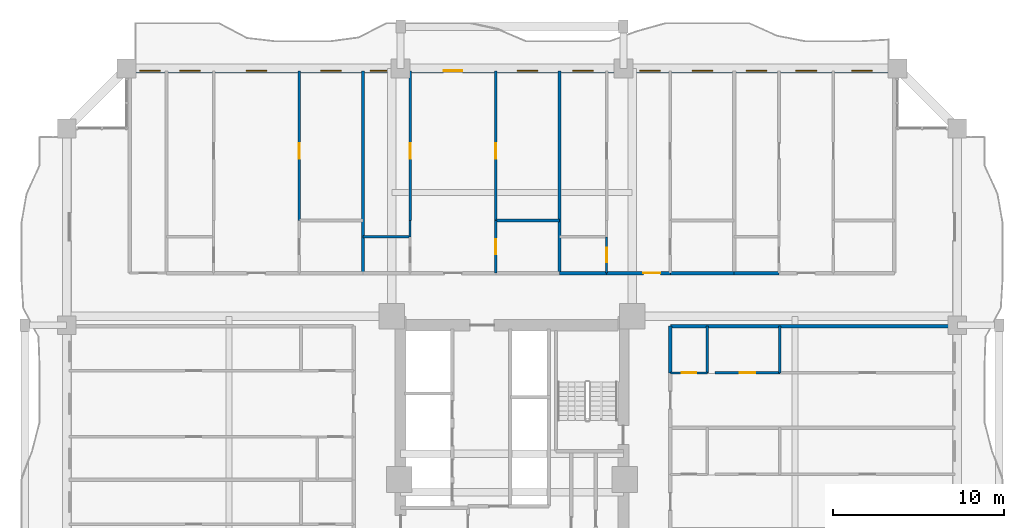
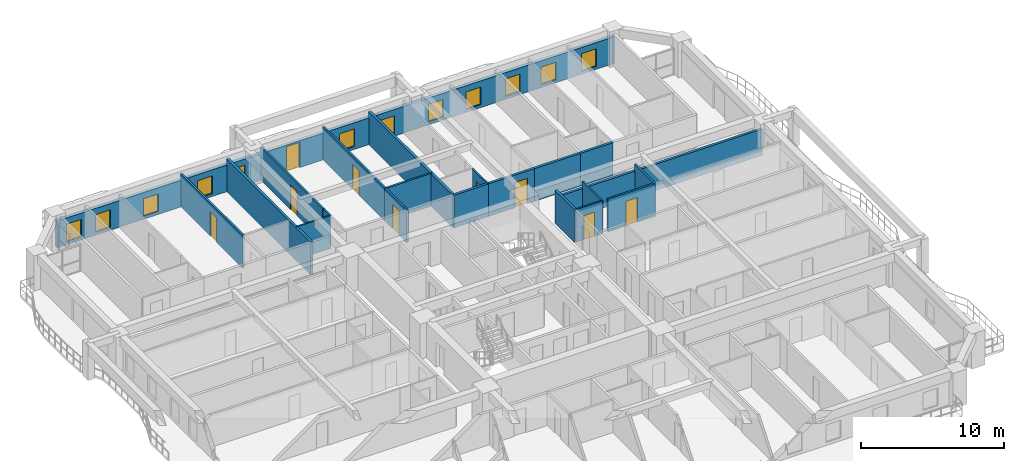
# One storey, part 19 of 27: 21 walls, 12 windows, 9 doors, 21 openings.
"""IFC4 building model written with IfcOpenShell, lengths in metres."""

from ifc_helpers import new_model, si_unit, direction, frame, frame_2d, origin, place, context, subcontext, project, spatial, rectangle, extrude, source, transform, mapped, material, layer, layer_set, type_object, element, fill, save


model = new_model("IFC4")

# Units and contexts
model_context = context("Model", 3, precision=1e-05, world=origin(), true_north=direction((0.0, 1.0)))
body_context = subcontext(model_context, "Body", "Model", "MODEL_VIEW")
ifc_project = project(units=[si_unit("LENGTHUNIT", "METRE"), si_unit("AREAUNIT", "SQUARE_METRE"), si_unit("VOLUMEUNIT", "CUBIC_METRE"), si_unit("PLANEANGLEUNIT", "RADIAN"), si_unit("MASSUNIT", "GRAM", prefix="KILO")], contexts=[model_context])

# Site, building, storey
site_placement = place(None, origin())
site = spatial("IfcSite", under=ifc_project, at=site_placement, CompositionType="ELEMENT")
building_placement = place(site_placement, origin())
building = spatial("IfcBuilding", under=site, at=building_placement, Name="Saelheon Loggia Tower", CompositionType="ELEMENT")
storey_placement = place(building_placement, frame((0.0, 0.0, 43.39990234375)))
storey = spatial("IfcBuildingStorey", under=building, at=storey_placement, Name="L13", CompositionType="ELEMENT", Elevation=43.39990234375)

# Wall, openings, windows, door
ifc_material_1 = material(Name="Architectural Precast Concrete C40/50", Category="concrete")
ifc_layer_1 = layer(ifc_material_1, 0.280029296875)
ifc_layer_set_1 = layer_set([ifc_layer_1], Name="Architectural Precast Concrete C40/50")
wall_type_1 = type_object("IfcWallType", Name="Wall_Ext_Loggia_280", PredefinedType="SOLIDWALL", material=ifc_layer_set_1)
wall_1_placement = place(storey_placement, frame((15.5, 50.860107421875, 0.0), z_axis=(0.0, 0.0, 1.0), x_axis=(1.0, 0.0, 0.0)))
wall_1 = element("IfcWall", 1, at=wall_1_placement, inside=storey, type_object=wall_type_1, Name="L13 North Loggia Inner Wall", PredefinedType="SOLIDWALL", context=body_context, shape_type="SweptSolid", body=[
    extrude(rectangle(XDim=45.0, YDim=0.280029296875, at=frame_2d((22.5, 0.0))), origin(), (0.0, 0.0, 1.0), 2.280029296875),
])
opening_1_placement = place(wall_1_placement, frame((0.760009765625, 0.0, 0.25)))
opening_1 = element("IfcOpeningElement", 2, at=opening_1_placement, cuts=wall_1, Name="Opening WN-03", PredefinedType="OPENING", context=body_context, shape_type="SweptSolid", body=[
    extrude(rectangle(XDim=1.199951171875, YDim=1.5, at=frame_2d((0.60009765625, 0.75))), frame((0.0, 0.152099609375, 0.0), z_axis=(0.0, -1.0, 0.0), x_axis=(1.0, 0.0, 0.0)), (0.0, 0.0, 1.0), 0.303955078125),
])
opening_2_placement = place(wall_1_placement, frame((3.10498046875, 0.0, 0.25)))
opening_2 = element("IfcOpeningElement", 3, at=opening_2_placement, cuts=wall_1, Name="Opening WN-03", PredefinedType="OPENING", context=body_context, shape_type="SweptSolid", body=[
    extrude(rectangle(XDim=1.199951171875, YDim=1.5, at=frame_2d((0.60009765625, 0.75))), frame((0.0, 0.152099609375, 0.0), z_axis=(0.0, -1.0, 0.0), x_axis=(1.0, 0.0, 0.0)), (0.0, 0.0, 1.0), 0.303955078125),
])
opening_3_placement = place(wall_1_placement, frame((6.979736328125, 0.0, 0.25)))
opening_3 = element("IfcOpeningElement", 4, at=opening_3_placement, cuts=wall_1, Name="Opening WN-03", PredefinedType="OPENING", context=body_context, shape_type="SweptSolid", body=[
    extrude(rectangle(XDim=1.199951171875, YDim=1.5, at=frame_2d((0.60009765625, 0.75))), frame((0.0, 0.152099609375, 0.0), z_axis=(0.0, -1.0, 0.0), x_axis=(1.0, 0.0, 0.0)), (0.0, 0.0, 1.0), 0.303955078125),
])
opening_4_placement = place(wall_1_placement, frame((11.3408203125, 0.0, 0.25)))
opening_4 = element("IfcOpeningElement", 5, at=opening_4_placement, cuts=wall_1, Name="Opening WN-03", PredefinedType="OPENING", context=body_context, shape_type="SweptSolid", body=[
    extrude(rectangle(XDim=1.199951171875, YDim=1.5, at=frame_2d((0.60009765625, 0.75))), frame((0.0, 0.152099609375, 0.0), z_axis=(0.0, -1.0, 0.0), x_axis=(1.0, 0.0, 0.0)), (0.0, 0.0, 1.0), 0.303955078125),
])
opening_5_placement = place(wall_1_placement, frame((14.231201171875, 0.0, 0.25)))
opening_5 = element("IfcOpeningElement", 6, at=opening_5_placement, cuts=wall_1, Name="Opening WN-04", PredefinedType="OPENING", context=body_context, shape_type="SweptSolid", body=[
    extrude(rectangle(XDim=0.949951171875, YDim=1.5, at=frame_2d((0.47509765625, 0.75))), frame((0.0, 0.152099609375, 0.0), z_axis=(0.0, -1.0, 0.0), x_axis=(1.0, 0.0, 0.0)), (0.0, 0.0, 1.0), 0.303955078125),
])
opening_6_placement = place(wall_1_placement, frame((18.502197265625, 0.0, 0.0)))
opening_6 = element("IfcOpeningElement", 7, at=opening_6_placement, cuts=wall_1, Name="Opening TD1", PredefinedType="OPENING", context=body_context, shape_type="SweptSolid", body=[
    extrude(rectangle(XDim=1.10009765625, YDim=2.14990234375, at=frame_2d((0.550048828125, 1.074951171875))), frame((0.0, 0.152099609375, 0.0), z_axis=(0.0, -1.0, 0.0), x_axis=(1.0, 0.0, 0.0)), (0.0, 0.0, 1.0), 0.303955078125),
])
opening_7_placement = place(wall_1_placement, frame((22.813232421875, 0.0, 0.25)))
opening_7 = element("IfcOpeningElement", 8, at=opening_7_placement, cuts=wall_1, Name="Opening WN-03", PredefinedType="OPENING", context=body_context, shape_type="SweptSolid", body=[
    extrude(rectangle(XDim=1.199951171875, YDim=1.5, at=frame_2d((0.60009765625, 0.75))), frame((0.0, 0.152099609375, 0.0), z_axis=(0.0, -1.0, 0.0), x_axis=(1.0, 0.0, 0.0)), (0.0, 0.0, 1.0), 0.303955078125),
])
opening_8_placement = place(wall_1_placement, frame((26.049560546875, 0.0, 0.25)))
opening_8 = element("IfcOpeningElement", 9, at=opening_8_placement, cuts=wall_1, Name="Opening WN-03", PredefinedType="OPENING", context=body_context, shape_type="SweptSolid", body=[
    extrude(rectangle(XDim=1.199951171875, YDim=1.5, at=frame_2d((0.60009765625, 0.75))), frame((0.0, 0.152099609375, 0.0), z_axis=(0.0, -1.0, 0.0), x_axis=(1.0, 0.0, 0.0)), (0.0, 0.0, 1.0), 0.303955078125),
])
opening_9_placement = place(wall_1_placement, frame((29.9697265625, 0.0, 0.25)))
opening_9 = element("IfcOpeningElement", 10, at=opening_9_placement, cuts=wall_1, Name="Opening WN-03", PredefinedType="OPENING", context=body_context, shape_type="SweptSolid", body=[
    extrude(rectangle(XDim=1.199951171875, YDim=1.5, at=frame_2d((0.60009765625, 0.75))), frame((0.0, 0.152099609375, 0.0), z_axis=(0.0, -1.0, 0.0), x_axis=(1.0, 0.0, 0.0)), (0.0, 0.0, 1.0), 0.303955078125),
])
opening_10_placement = place(wall_1_placement, frame((33.0107421875, 0.0, 0.25)))
opening_10 = element("IfcOpeningElement", 11, at=opening_10_placement, cuts=wall_1, Name="Opening WN-03", PredefinedType="OPENING", context=body_context, shape_type="SweptSolid", body=[
    extrude(rectangle(XDim=1.199951171875, YDim=1.5, at=frame_2d((0.60009765625, 0.75))), frame((0.0, 0.152099609375, 0.0), z_axis=(0.0, -1.0, 0.0), x_axis=(1.0, 0.0, 0.0)), (0.0, 0.0, 1.0), 0.303955078125),
])
opening_11_placement = place(wall_1_placement, frame((36.180908203125, 0.0, 0.25)))
opening_11 = element("IfcOpeningElement", 12, at=opening_11_placement, cuts=wall_1, Name="Opening WN-03", PredefinedType="OPENING", context=body_context, shape_type="SweptSolid", body=[
    extrude(rectangle(XDim=1.199951171875, YDim=1.5, at=frame_2d((0.60009765625, 0.75))), frame((0.0, 0.152099609375, 0.0), z_axis=(0.0, -1.0, 0.0), x_axis=(1.0, 0.0, 0.0)), (0.0, 0.0, 1.0), 0.303955078125),
])
opening_12_placement = place(wall_1_placement, frame((39.07861328125, 0.0, 0.25)))
opening_12 = element("IfcOpeningElement", 13, at=opening_12_placement, cuts=wall_1, Name="Opening WN-03", PredefinedType="OPENING", context=body_context, shape_type="SweptSolid", body=[
    extrude(rectangle(XDim=1.199951171875, YDim=1.5, at=frame_2d((0.60009765625, 0.75))), frame((0.0, 0.152099609375, 0.0), z_axis=(0.0, -1.0, 0.0), x_axis=(1.0, 0.0, 0.0)), (0.0, 0.0, 1.0), 0.303955078125),
])
opening_13_placement = place(wall_1_placement, frame((42.3388671875, 0.0, 0.25)))
opening_13 = element("IfcOpeningElement", 14, at=opening_13_placement, cuts=wall_1, Name="Opening WN-03", PredefinedType="OPENING", context=body_context, shape_type="SweptSolid", body=[
    extrude(rectangle(XDim=1.199951171875, YDim=1.5, at=frame_2d((0.60009765625, 0.75))), frame((0.0, 0.152099609375, 0.0), z_axis=(0.0, -1.0, 0.0), x_axis=(1.0, 0.0, 0.0)), (0.0, 0.0, 1.0), 0.303955078125),
])
ifc_material_2 = material(Name="Thermal-Break Aluminium and Triple Low-E Glass", Category="aluminium")
window_type_1 = type_object("IfcWindowType", Name="Win_Bedroom_1200x1500", PartitioningType="SINGLE_PANEL", PredefinedType="WINDOW", material=ifc_material_2)
shared_shape_1 = source(origin(), body_context, "Body", "SweptSolid", [
    extrude(rectangle(XDim=1.199951171875, YDim=1.5, at=frame_2d((0.60009765625, 0.75))), frame((0.0, 0.030029296875, 0.0), z_axis=(0.0, -1.0, 0.0), x_axis=(1.0, 0.0, 0.0)), (0.0, 0.0, 1.0), 0.06005859375),
])
window_1_placement = place(opening_1_placement, origin())
window_1 = element("IfcWindow", 15, at=window_1_placement, inside=storey, type_object=window_type_1, Name="L13 N Dwelling Window 1", OverallHeight=1.5, OverallWidth=1.199951171875, PartitioningType="SINGLE_PANEL", PredefinedType="WINDOW", context=body_context, shape_type="MappedRepresentation", body=[
    mapped(shared_shape_1, transform((0.0, 0.0, 0.0), scale=1.0)),
])
fill(opening_1, window_1)
window_2_placement = place(opening_2_placement, origin())
window_2 = element("IfcWindow", 16, at=window_2_placement, inside=storey, type_object=window_type_1, Name="L13 N Dwelling Window 2", OverallHeight=1.5, OverallWidth=1.199951171875, PartitioningType="SINGLE_PANEL", PredefinedType="WINDOW", context=body_context, shape_type="MappedRepresentation", body=[
    mapped(shared_shape_1, transform((0.0, 0.0, 0.0), scale=1.0)),
])
fill(opening_2, window_2)
window_3_placement = place(opening_3_placement, origin())
window_3 = element("IfcWindow", 17, at=window_3_placement, inside=storey, type_object=window_type_1, Name="L13 N Dwelling Window 3", OverallHeight=1.5, OverallWidth=1.199951171875, PartitioningType="SINGLE_PANEL", PredefinedType="WINDOW", context=body_context, shape_type="MappedRepresentation", body=[
    mapped(shared_shape_1, transform((0.0, 0.0, 0.0), scale=1.0)),
])
fill(opening_3, window_3)
window_4_placement = place(opening_4_placement, origin())
window_4 = element("IfcWindow", 18, at=window_4_placement, inside=storey, type_object=window_type_1, Name="L13 N Dwelling Window 4", OverallHeight=1.5, OverallWidth=1.199951171875, PartitioningType="SINGLE_PANEL", PredefinedType="WINDOW", context=body_context, shape_type="MappedRepresentation", body=[
    mapped(shared_shape_1, transform((0.0, 0.0, 0.0), scale=1.0)),
])
fill(opening_4, window_4)
window_5_placement = place(opening_7_placement, origin())
window_5 = element("IfcWindow", 19, at=window_5_placement, inside=storey, type_object=window_type_1, Name="L13 N Dwelling Window 7", OverallHeight=1.5, OverallWidth=1.199951171875, PartitioningType="SINGLE_PANEL", PredefinedType="WINDOW", context=body_context, shape_type="MappedRepresentation", body=[
    mapped(shared_shape_1, transform((0.0, 0.0, 0.0), scale=1.0)),
])
fill(opening_7, window_5)
window_6_placement = place(opening_8_placement, origin())
window_6 = element("IfcWindow", 20, at=window_6_placement, inside=storey, type_object=window_type_1, Name="L13 N Dwelling Window 8", OverallHeight=1.5, OverallWidth=1.199951171875, PartitioningType="SINGLE_PANEL", PredefinedType="WINDOW", context=body_context, shape_type="MappedRepresentation", body=[
    mapped(shared_shape_1, transform((0.0, 0.0, 0.0), scale=1.0)),
])
fill(opening_8, window_6)
window_7_placement = place(opening_9_placement, origin())
window_7 = element("IfcWindow", 21, at=window_7_placement, inside=storey, type_object=window_type_1, Name="L13 N Dwelling Window 9", OverallHeight=1.5, OverallWidth=1.199951171875, PartitioningType="SINGLE_PANEL", PredefinedType="WINDOW", context=body_context, shape_type="MappedRepresentation", body=[
    mapped(shared_shape_1, transform((0.0, 0.0, 0.0), scale=1.0)),
])
fill(opening_9, window_7)
window_8_placement = place(opening_10_placement, origin())
window_8 = element("IfcWindow", 22, at=window_8_placement, inside=storey, type_object=window_type_1, Name="L13 N Dwelling Window 10", OverallHeight=1.5, OverallWidth=1.199951171875, PartitioningType="SINGLE_PANEL", PredefinedType="WINDOW", context=body_context, shape_type="MappedRepresentation", body=[
    mapped(shared_shape_1, transform((0.0, 0.0, 0.0), scale=1.0)),
])
fill(opening_10, window_8)
window_9_placement = place(opening_11_placement, origin())
window_9 = element("IfcWindow", 23, at=window_9_placement, inside=storey, type_object=window_type_1, Name="L13 N Dwelling Window 11", OverallHeight=1.5, OverallWidth=1.199951171875, PartitioningType="SINGLE_PANEL", PredefinedType="WINDOW", context=body_context, shape_type="MappedRepresentation", body=[
    mapped(shared_shape_1, transform((0.0, 0.0, 0.0), scale=1.0)),
])
fill(opening_11, window_9)
window_10_placement = place(opening_12_placement, origin())
window_10 = element("IfcWindow", 24, at=window_10_placement, inside=storey, type_object=window_type_1, Name="L13 N Dwelling Window 12", OverallHeight=1.5, OverallWidth=1.199951171875, PartitioningType="SINGLE_PANEL", PredefinedType="WINDOW", context=body_context, shape_type="MappedRepresentation", body=[
    mapped(shared_shape_1, transform((0.0, 0.0, 0.0), scale=1.0)),
])
fill(opening_12, window_10)
window_11_placement = place(opening_13_placement, origin())
window_11 = element("IfcWindow", 25, at=window_11_placement, inside=storey, type_object=window_type_1, Name="L13 N Dwelling Window 13", OverallHeight=1.5, OverallWidth=1.199951171875, PartitioningType="SINGLE_PANEL", PredefinedType="WINDOW", context=body_context, shape_type="MappedRepresentation", body=[
    mapped(shared_shape_1, transform((0.0, 0.0, 0.0), scale=1.0)),
])
fill(opening_13, window_11)
ifc_material_3 = material(Name="Thermal-Break Aluminium Glazed Door", Category="aluminium")
door_type_1 = type_object("IfcDoorType", Name="Door_Terrace_TD1", OperationType="NOTDEFINED", PredefinedType="DOOR", material=ifc_material_3)
shared_shape_2 = source(origin(), body_context, "Body", "SweptSolid", [
    extrude(rectangle(XDim=1.10009765625, YDim=2.14990234375, at=frame_2d((0.550048828125, 1.074951171875))), frame((0.0, 0.02490234375, 0.0), z_axis=(0.0, -1.0, 0.0), x_axis=(1.0, 0.0, 0.0)), (0.0, 0.0, 1.0), 0.050048828125),
])
door_1_placement = place(opening_6_placement, origin())
door_1 = element("IfcDoor", 26, at=door_1_placement, inside=storey, type_object=door_type_1, Name="L13 N Loggia Access Door", OperationType="SINGLE_SWING_RIGHT", OverallHeight=2.14990234375, OverallWidth=1.10009765625, PredefinedType="DOOR", context=body_context, shape_type="MappedRepresentation", body=[
    mapped(shared_shape_2, transform((0.0, 0.0, 0.0), scale=1.0)),
])
fill(opening_6, door_1)
window_type_2 = type_object("IfcWindowType", Name="Win_Narrow_950x1500", PartitioningType="SINGLE_PANEL", PredefinedType="WINDOW", material=ifc_material_2)
shared_shape_3 = source(origin(), body_context, "Body", "SweptSolid", [
    extrude(rectangle(XDim=0.949951171875, YDim=1.5, at=frame_2d((0.47509765625, 0.75))), frame((0.0, 0.030029296875, 0.0), z_axis=(0.0, -1.0, 0.0), x_axis=(1.0, 0.0, 0.0)), (0.0, 0.0, 1.0), 0.06005859375),
])
window_12_placement = place(opening_5_placement, origin())
window_12 = element("IfcWindow", 27, at=window_12_placement, inside=storey, type_object=window_type_2, Name="L13 N Dwelling Window 5", OverallHeight=1.5, OverallWidth=0.949951171875, PartitioningType="SINGLE_PANEL", PredefinedType="WINDOW", context=body_context, shape_type="MappedRepresentation", body=[
    mapped(shared_shape_3, transform((0.0, 0.0, 0.0), scale=1.0)),
])
fill(opening_5, window_12)

# Wall, opening, door
ifc_material_4 = material(Name="Lightweight Autoclaved Aerated Concrete Block and Acoustic Gypsum", Category="concrete")
ifc_layer_2 = layer(ifc_material_4, 0.14990234375)
ifc_layer_set_2 = layer_set([ifc_layer_2], Name="Lightweight Autoclaved Aerated Concrete Block and Acoustic Gypsum")
wall_type_2 = type_object("IfcWallType", Name="Wall_Part_150", PredefinedType="PARTITIONING", material=ifc_layer_set_2)
wall_2_placement = place(storey_placement, frame((25.57958984375, 42.1201171875, 0.0), z_axis=(0.0, 0.0, 1.0), x_axis=(0.0, 1.0, 0.0)))
wall_2 = element("IfcWall", 28, at=wall_2_placement, inside=storey, type_object=wall_type_2, Name="L13 N Partition U14", PredefinedType="PARTITIONING", context=body_context, shape_type="SweptSolid", body=[
    extrude(rectangle(XDim=8.72998046875, YDim=0.14990234375, at=frame_2d((4.364990234375, 0.0))), origin(), (0.0, 0.0, 1.0), 2.7900390625),
])
opening_14_placement = place(wall_2_placement, frame((3.60888671875, 0.0, 0.0)))
opening_14 = element("IfcOpeningElement", 29, at=opening_14_placement, cuts=wall_2, Name="Opening D-IN2", PredefinedType="OPENING", context=body_context, shape_type="SweptSolid", body=[
    extrude(rectangle(XDim=0.89990234375, YDim=2.10009765625, at=frame_2d((0.449951171875, 1.050048828125))), frame((0.0, 0.0869140625, 0.0), z_axis=(0.0, -1.0, 0.0), x_axis=(1.0, 0.0, 0.0)), (0.0, 0.0, 1.0), 0.173828125),
])
ifc_material_5 = material(Name="Engineered Oak Flush Door", Category="timber")
door_type_2 = type_object("IfcDoorType", Name="Door_Int_900", OperationType="NOTDEFINED", PredefinedType="DOOR", material=ifc_material_5)
shared_shape_4 = source(origin(), body_context, "Body", "SweptSolid", [
    extrude(rectangle(XDim=0.89990234375, YDim=2.10009765625, at=frame_2d((0.449951171875, 1.050048828125))), frame((0.0, 0.02490234375, 0.0), z_axis=(0.0, -1.0, 0.0), x_axis=(1.0, 0.0, 0.0)), (0.0, 0.0, 1.0), 0.050048828125),
])
door_2_placement = place(opening_14_placement, origin())
door_2 = element("IfcDoor", 30, at=door_2_placement, inside=storey, type_object=door_type_2, Name="Unit U05 Bedroom 1 Door", OperationType="SINGLE_SWING_RIGHT", OverallHeight=2.10009765625, OverallWidth=0.89990234375, PredefinedType="DOOR", context=body_context, shape_type="MappedRepresentation", body=[
    mapped(shared_shape_4, transform((0.0, 0.0, 0.0), scale=1.0)),
])
fill(opening_14, door_2)

# Wall
wall_3_placement = place(storey_placement, frame((37.0517578125, 42.1201171875, 0.0), z_axis=(0.0, 0.0, 1.0), x_axis=(1.0, 0.0, 0.0)))
element("IfcWall", 31, at=wall_3_placement, inside=storey, type_object=wall_type_2, Name="L13 N Partition V20", PredefinedType="PARTITIONING", context=body_context, shape_type="SweptSolid", body=[
    extrude(rectangle(XDim=3.722900390625, YDim=0.14990234375, at=frame_2d((1.861328125, 0.0))), origin(), (0.0, 0.0, 1.0), 2.7900390625),
])

# Wall, opening, door
wall_4_placement = place(storey_placement, frame((32.05224609375, 42.1201171875, 0.0), z_axis=(0.0, 0.0, 1.0), x_axis=(0.0, 1.0, 0.0)))
wall_4 = element("IfcWall", 32, at=wall_4_placement, inside=storey, type_object=wall_type_2, Name="L13 N Partition U23", PredefinedType="PARTITIONING", context=body_context, shape_type="SweptSolid", body=[
    extrude(rectangle(XDim=8.72998046875, YDim=0.14990234375, at=frame_2d((4.364990234375, 0.0))), origin(), (0.0, 0.0, 1.0), 2.7900390625),
])
opening_15_placement = place(wall_4_placement, frame((3.60888671875, 0.0, 0.0)))
opening_15 = element("IfcOpeningElement", 33, at=opening_15_placement, cuts=wall_4, Name="Opening D-IN2", PredefinedType="OPENING", context=body_context, shape_type="SweptSolid", body=[
    extrude(rectangle(XDim=0.89990234375, YDim=2.10009765625, at=frame_2d((0.449951171875, 1.050048828125))), frame((0.0, 0.0869140625, 0.0), z_axis=(0.0, -1.0, 0.0), x_axis=(1.0, 0.0, 0.0)), (0.0, 0.0, 1.0), 0.173828125),
])
door_3_placement = place(opening_15_placement, origin())
door_3 = element("IfcDoor", 34, at=door_3_placement, inside=storey, type_object=door_type_2, Name="Unit U06 Kitchen Door", OperationType="SINGLE_SWING_LEFT", OverallHeight=2.10009765625, OverallWidth=0.89990234375, PredefinedType="DOOR", context=body_context, shape_type="MappedRepresentation", body=[
    mapped(shared_shape_4, transform((0.0, 0.0, 0.0), scale=1.0)),
])
fill(opening_15, door_3)

wall_5_placement = place(storey_placement, frame((37.0517578125, 39.050048828125, 0.0), z_axis=(0.0, 0.0, 1.0), x_axis=(0.0, 1.0, 0.0)))
wall_5 = element("IfcWall", 35, at=wall_5_placement, inside=storey, type_object=wall_type_2, Name="L13 N Partition U24", PredefinedType="PARTITIONING", context=body_context, shape_type="SweptSolid", body=[
    extrude(rectangle(XDim=3.070068359375, YDim=0.14990234375, at=frame_2d((1.53515625, 0.0))), origin(), (0.0, 0.0, 1.0), 2.7900390625),
])
opening_16_placement = place(wall_5_placement, frame((1.0849609375, 0.0, 0.0)))
opening_16 = element("IfcOpeningElement", 36, at=opening_16_placement, cuts=wall_5, Name="Opening D-IN2", PredefinedType="OPENING", context=body_context, shape_type="SweptSolid", body=[
    extrude(rectangle(XDim=0.89990234375, YDim=2.10009765625, at=frame_2d((0.449951171875, 1.050048828125))), frame((0.0, 0.0869140625, 0.0), z_axis=(0.0, -1.0, 0.0), x_axis=(1.0, 0.0, 0.0)), (0.0, 0.0, 1.0), 0.173828125),
])
door_4_placement = place(opening_16_placement, origin())
door_4 = element("IfcDoor", 37, at=door_4_placement, inside=storey, type_object=door_type_2, Name="Unit U06 Dressing Closet Door", OperationType="SINGLE_SWING_RIGHT", OverallHeight=2.10009765625, OverallWidth=0.89990234375, PredefinedType="DOOR", context=body_context, shape_type="MappedRepresentation", body=[
    mapped(shared_shape_4, transform((0.0, 0.0, 0.0), scale=1.0)),
])
fill(opening_16, door_4)

wall_6_placement = place(storey_placement, frame((37.0517578125, 42.1201171875, 0.0), z_axis=(0.0, 0.0, 1.0), x_axis=(0.0, 1.0, 0.0)))
wall_6 = element("IfcWall", 38, at=wall_6_placement, inside=storey, type_object=wall_type_2, Name="L13 N Partition U25", PredefinedType="PARTITIONING", context=body_context, shape_type="SweptSolid", body=[
    extrude(rectangle(XDim=8.72998046875, YDim=0.14990234375, at=frame_2d((4.364990234375, 0.0))), origin(), (0.0, 0.0, 1.0), 2.7900390625),
])
opening_17_placement = place(wall_6_placement, frame((3.60888671875, 0.0, 0.0)))
opening_17 = element("IfcOpeningElement", 39, at=opening_17_placement, cuts=wall_6, Name="Opening D-IN2", PredefinedType="OPENING", context=body_context, shape_type="SweptSolid", body=[
    extrude(rectangle(XDim=0.89990234375, YDim=2.10009765625, at=frame_2d((0.449951171875, 1.050048828125))), frame((0.0, 0.0869140625, 0.0), z_axis=(0.0, -1.0, 0.0), x_axis=(1.0, 0.0, 0.0)), (0.0, 0.0, 1.0), 0.173828125),
])
door_5_placement = place(opening_17_placement, origin())
door_5 = element("IfcDoor", 40, at=door_5_placement, inside=storey, type_object=door_type_2, Name="Unit U06 Bedroom 1 Door", OperationType="SINGLE_SWING_LEFT", OverallHeight=2.10009765625, OverallWidth=0.89990234375, PredefinedType="DOOR", context=body_context, shape_type="MappedRepresentation", body=[
    mapped(shared_shape_4, transform((0.0, 0.0, 0.0), scale=1.0)),
])
fill(opening_17, door_5)

# Wall
wall_7_placement = place(storey_placement, frame((53.639892578125, 33.22509765625, 0.0), z_axis=(0.0, 0.0, 1.0), x_axis=(0.0, 1.0, 0.0)))
element("IfcWall", 41, at=wall_7_placement, inside=storey, type_object=wall_type_2, Name="L13 E Partition V23", PredefinedType="PARTITIONING", context=body_context, shape_type="SweptSolid", body=[
    extrude(rectangle(XDim=2.724853515625, YDim=0.14990234375, at=frame_2d((1.3623046875, 0.0))), origin(), (0.0, 0.0, 1.0), 2.7900390625),
])

# Wall, opening, door
wall_8_placement = place(storey_placement, frame((49.840087890625, 33.22509765625, 0.0), z_axis=(0.0, 0.0, 1.0), x_axis=(1.0, 0.0, 0.0)))
wall_8 = element("IfcWall", 42, at=wall_8_placement, inside=storey, type_object=wall_type_2, Name="L13 E Partition U24", PredefinedType="PARTITIONING", context=body_context, shape_type="SweptSolid", body=[
    extrude(rectangle(XDim=3.7998046875, YDim=0.14990234375, at=frame_2d((1.89990234375, 0.0))), origin(), (0.0, 0.0, 1.0), 2.7900390625),
])
opening_18_placement = place(wall_8_placement, frame((1.449951171875, 0.0, 0.0)))
opening_18 = element("IfcOpeningElement", 43, at=opening_18_placement, cuts=wall_8, Name="Opening D-IN2", PredefinedType="OPENING", context=body_context, shape_type="SweptSolid", body=[
    extrude(rectangle(XDim=0.89990234375, YDim=2.10009765625, at=frame_2d((0.449951171875, 1.050048828125))), frame((0.0, 0.0869140625, 0.0), z_axis=(0.0, -1.0, 0.0), x_axis=(1.0, 0.0, 0.0)), (0.0, 0.0, 1.0), 0.173828125),
])
door_6_placement = place(opening_18_placement, origin())
door_6 = element("IfcDoor", 44, at=door_6_placement, inside=storey, type_object=door_type_2, Name="Unit U13 Kitchen Door", OperationType="SINGLE_SWING_RIGHT", OverallHeight=2.10009765625, OverallWidth=0.89990234375, PredefinedType="DOOR", context=body_context, shape_type="MappedRepresentation", body=[
    mapped(shared_shape_4, transform((0.0, 0.0, 0.0), scale=1.0)),
])
fill(opening_18, door_6)

# Walls
ifc_material_6 = material(Name="Double Acoustic Stud and Fireboard Partition", Category="gypsum")
ifc_layer_3 = layer(ifc_material_6, 0.199951171875)
ifc_layer_set_3 = layer_set([ifc_layer_3], Name="Double Acoustic Stud and Fireboard Partition")
wall_type_3 = type_object("IfcWallType", Name="Wall_Party_200", PredefinedType="PARTITIONING", material=ifc_layer_set_3)
for number, where, z_axis, x_axis, name in (
    (45, (29.30224609375, 39.050048828125, 0.0), (0.0, 0.0, 1.0), (0.0, 1.0, 0.0), "L13 N Partition U15"),
    (46, (40.774658203125, 39.050048828125, 0.0), (0.0, 0.0, 1.0), (0.0, 1.0, 0.0), "L13 N Partition U26"),
):
    element("IfcWall", number, at=place(storey_placement, frame(where, z_axis=z_axis, x_axis=x_axis)), inside=storey, type_object=wall_type_3, Name=name, PredefinedType="PARTITIONING", context=body_context, shape_type="SweptSolid", body=[
        extrude(rectangle(XDim=11.800048828125, YDim=0.199951171875, at=frame_2d((5.89990234375, 0.0))), origin(), (0.0, 0.0, 1.0), 2.7900390625),
    ])
wall_9_placement = place(storey_placement, frame((40.774658203125, 39.050048828125, 0.0), z_axis=(0.0, 0.0, 1.0), x_axis=(1.0, 0.0, 0.0)))
element("IfcWall", 47, at=wall_9_placement, inside=storey, type_object=wall_type_3, Name="L13 N Partition V27", PredefinedType="PARTITIONING", context=body_context, shape_type="SweptSolid", body=[
    extrude(rectangle(XDim=2.75, YDim=0.199951171875, at=frame_2d((1.375, 0.0))), origin(), (0.0, 0.0, 1.0), 2.7900390625),
])

# Wall, opening, door
wall_10_placement = place(storey_placement, frame((43.524658203125, 39.050048828125, 0.0), z_axis=(0.0, 0.0, 1.0), x_axis=(1.0, 0.0, 0.0)))
wall_10 = element("IfcWall", 48, at=wall_10_placement, inside=storey, type_object=wall_type_3, Name="L13 N Partition V28", PredefinedType="PARTITIONING", context=body_context, shape_type="SweptSolid", body=[
    extrude(rectangle(XDim=3.724853515625, YDim=0.199951171875, at=frame_2d((1.8623046875, 0.0))), origin(), (0.0, 0.0, 1.0), 2.7900390625),
])
opening_19_placement = place(wall_10_placement, frame((2.143310546875, 0.0, 0.0)))
opening_19 = element("IfcOpeningElement", 49, at=opening_19_placement, cuts=wall_10, Name="Opening D-FD1", PredefinedType="OPENING", context=body_context, shape_type="SweptSolid", body=[
    extrude(rectangle(XDim=1.0, YDim=2.14990234375, at=frame_2d((0.5, 1.074951171875))), frame((0.0, 0.112060546875, 0.0), z_axis=(0.0, -1.0, 0.0), x_axis=(1.0, 0.0, 0.0)), (0.0, 0.0, 1.0), 0.223876953125),
])
ifc_material_7 = material(Name="Fire-Rated Engineered Timber Entrance Door", Category="wood")
door_type_3 = type_object("IfcDoorType", Name="Door_Flat_FD30S", OperationType="NOTDEFINED", PredefinedType="DOOR", material=ifc_material_7)
shared_shape_5 = source(origin(), body_context, "Body", "SweptSolid", [
    extrude(rectangle(XDim=1.0, YDim=2.14990234375, at=frame_2d((0.5, 1.074951171875))), frame((0.0, 0.02490234375, 0.0), z_axis=(0.0, -1.0, 0.0), x_axis=(1.0, 0.0, 0.0)), (0.0, 0.0, 1.0), 0.050048828125),
])
door_7_placement = place(opening_19_placement, origin())
door_7 = element("IfcDoor", 50, at=door_7_placement, inside=storey, type_object=door_type_3, Name="Unit U07 Entrance Door", OperationType="SINGLE_SWING_RIGHT", OverallHeight=2.14990234375, OverallWidth=1.0, PredefinedType="DOOR", context=body_context, shape_type="MappedRepresentation", body=[
    mapped(shared_shape_5, transform((0.0, 0.0, 0.0), scale=1.0)),
])
fill(opening_19, door_7)

# Walls
wall_11_placement = place(storey_placement, frame((47.24951171875, 39.050048828125, 0.0), z_axis=(0.0, 0.0, 1.0), x_axis=(1.0, 0.0, 0.0)))
element("IfcWall", 51, at=wall_11_placement, inside=storey, type_object=wall_type_3, Name="L13 N Partition V29", PredefinedType="PARTITIONING", context=body_context, shape_type="SweptSolid", body=[
    extrude(rectangle(XDim=3.72265625, YDim=0.199951171875, at=frame_2d((1.861328125, 0.0))), origin(), (0.0, 0.0, 1.0), 2.7900390625),
])
wall_12_placement = place(storey_placement, frame((50.97216796875, 39.050048828125, 0.0), z_axis=(0.0, 0.0, 1.0), x_axis=(1.0, 0.0, 0.0)))
element("IfcWall", 52, at=wall_12_placement, inside=storey, type_object=wall_type_3, Name="L13 N Partition V38", PredefinedType="PARTITIONING", context=body_context, shape_type="SweptSolid", body=[
    extrude(rectangle(XDim=2.617431640625, YDim=0.199951171875, at=frame_2d((1.30859375, 0.0))), origin(), (0.0, 0.0, 1.0), 2.7900390625),
])
wall_13_placement = place(storey_placement, frame((47.25, 35.949951171875, 0.0), z_axis=(0.0, 0.0, 1.0), x_axis=(1.0, 0.0, 0.0)))
element("IfcWall", 53, at=wall_13_placement, inside=storey, type_object=wall_type_3, Name="L13 E Partition U02", PredefinedType="PARTITIONING", context=body_context, shape_type="SweptSolid", body=[
    extrude(rectangle(XDim=16.60009765625, YDim=0.199951171875, at=frame_2d((8.300048828125, 0.0))), origin(), (0.0, 0.0, 1.0), 2.239990234375),
])
wall_14_placement = place(storey_placement, frame((47.25, 33.22509765625, 0.0), z_axis=(0.0, 0.0, 1.0), x_axis=(0.0, 1.0, 0.0)))
element("IfcWall", 54, at=wall_14_placement, inside=storey, type_object=wall_type_3, Name="L13 E Partition V20", PredefinedType="PARTITIONING", context=body_context, shape_type="SweptSolid", body=[
    extrude(rectangle(XDim=2.724853515625, YDim=0.199951171875, at=frame_2d((1.3623046875, 0.0))), origin(), (0.0, 0.0, 1.0), 2.7900390625),
])
ifc_material_8 = material(Name="Moisture-Resistant Cement Board Partition", Category="gypsum")
ifc_layer_4 = layer(ifc_material_8, 0.1201171875)
ifc_layer_set_4 = layer_set([ifc_layer_4], Name="Moisture-Resistant Cement Board Partition")
wall_type_4 = type_object("IfcWallType", Name="Wall_WetPart_120", PredefinedType="PARTITIONING", material=ifc_layer_set_4)
wall_15_placement = place(storey_placement, frame((29.30224609375, 41.169921875, 0.0), z_axis=(0.0, 0.0, 1.0), x_axis=(1.0, 0.0, 0.0)))
element("IfcWall", 55, at=wall_15_placement, inside=storey, type_object=wall_type_4, Name="L13 N Partition V19", PredefinedType="PARTITIONING", context=body_context, shape_type="SweptSolid", body=[
    extrude(rectangle(XDim=2.75, YDim=0.1201171875, at=frame_2d((1.375, 0.0))), origin(), (0.0, 0.0, 1.0), 2.7900390625),
])
wall_16_placement = place(storey_placement, frame((32.05224609375, 41.169921875, 0.0), z_axis=(0.0, 0.0, 1.0), x_axis=(0.0, 1.0, 0.0)))
element("IfcWall", 56, at=wall_16_placement, inside=storey, type_object=wall_type_4, Name="L13 N Partition U22", PredefinedType="PARTITIONING", context=body_context, shape_type="SweptSolid", body=[
    extrude(rectangle(XDim=0.9501953125, YDim=0.1201171875, at=frame_2d((0.47509765625, 0.0))), origin(), (0.0, 0.0, 1.0), 2.7900390625),
])

# Wall, opening, door
wall_17_placement = place(storey_placement, frame((43.524658203125, 39.050048828125, 0.0), z_axis=(0.0, 0.0, 1.0), x_axis=(0.0, 1.0, 0.0)))
wall_17 = element("IfcWall", 57, at=wall_17_placement, inside=storey, type_object=wall_type_4, Name="L13 N Partition U32", PredefinedType="PARTITIONING", context=body_context, shape_type="SweptSolid", body=[
    extrude(rectangle(XDim=2.119873046875, YDim=0.1201171875, at=frame_2d((1.06005859375, 0.0))), origin(), (0.0, 0.0, 1.0), 2.7900390625),
])
opening_20_placement = place(wall_17_placement, frame((0.635009765625, 0.0, 0.0)))
opening_20 = element("IfcOpeningElement", 58, at=opening_20_placement, cuts=wall_17, Name="Opening D-BT1", PredefinedType="OPENING", context=body_context, shape_type="SweptSolid", body=[
    extrude(rectangle(XDim=0.85009765625, YDim=2.050048828125, at=frame_2d((0.425048828125, 1.02490234375))), frame((0.0, 0.072021484375, 0.0), z_axis=(0.0, -1.0, 0.0), x_axis=(1.0, 0.0, 0.0)), (0.0, 0.0, 1.0), 0.14404296875),
])
ifc_material_9 = material(Name="Moisture-Resistant Laminate Timber Door", Category="wood")
door_type_4 = type_object("IfcDoorType", Name="Door_Bath_850", OperationType="NOTDEFINED", PredefinedType="DOOR", material=ifc_material_9)
shared_shape_6 = source(origin(), body_context, "Body", "SweptSolid", [
    extrude(rectangle(XDim=0.85009765625, YDim=2.050048828125, at=frame_2d((0.425048828125, 1.02490234375))), frame((0.0, 0.02490234375, 0.0), z_axis=(0.0, -1.0, 0.0), x_axis=(1.0, 0.0, 0.0)), (0.0, 0.0, 1.0), 0.050048828125),
])
door_8_placement = place(opening_20_placement, origin())
door_8 = element("IfcDoor", 59, at=door_8_placement, inside=storey, type_object=door_type_4, Name="Unit U07 Bathroom Door", OperationType="SINGLE_SWING_LEFT", OverallHeight=2.050048828125, OverallWidth=0.85009765625, PredefinedType="DOOR", context=body_context, shape_type="MappedRepresentation", body=[
    mapped(shared_shape_6, transform((0.0, 0.0, 0.0), scale=1.0)),
])
fill(opening_20, door_8)

wall_18_placement = place(storey_placement, frame((47.25, 33.22509765625, 0.0), z_axis=(0.0, 0.0, 1.0), x_axis=(1.0, 0.0, 0.0)))
wall_18 = element("IfcWall", 60, at=wall_18_placement, inside=storey, type_object=wall_type_4, Name="L13 E Partition U21", PredefinedType="PARTITIONING", context=body_context, shape_type="SweptSolid", body=[
    extrude(rectangle(XDim=2.14990234375, YDim=0.1201171875, at=frame_2d((1.074951171875, 0.0))), origin(), (0.0, 0.0, 1.0), 2.7900390625),
])
opening_21_placement = place(wall_18_placement, frame((0.64990234375, 0.0, 0.0)))
opening_21 = element("IfcOpeningElement", 61, at=opening_21_placement, cuts=wall_18, Name="Opening D-BT1", PredefinedType="OPENING", context=body_context, shape_type="SweptSolid", body=[
    extrude(rectangle(XDim=0.85009765625, YDim=2.050048828125, at=frame_2d((0.425048828125, 1.02490234375))), frame((0.0, 0.072021484375, 0.0), z_axis=(0.0, -1.0, 0.0), x_axis=(1.0, 0.0, 0.0)), (0.0, 0.0, 1.0), 0.14404296875),
])
door_9_placement = place(opening_21_placement, origin())
door_9 = element("IfcDoor", 62, at=door_9_placement, inside=storey, type_object=door_type_4, Name="Unit U13 Bathroom Door", OperationType="SINGLE_SWING_LEFT", OverallHeight=2.050048828125, OverallWidth=0.85009765625, PredefinedType="DOOR", context=body_context, shape_type="MappedRepresentation", body=[
    mapped(shared_shape_6, transform((0.0, 0.0, 0.0), scale=1.0)),
])
fill(opening_21, door_9)

# Wall
wall_19_placement = place(storey_placement, frame((49.39990234375, 33.22509765625, 0.0), z_axis=(0.0, 0.0, 1.0), x_axis=(0.0, 1.0, 0.0)))
element("IfcWall", 63, at=wall_19_placement, inside=storey, type_object=wall_type_4, Name="L13 E Partition V22", PredefinedType="PARTITIONING", context=body_context, shape_type="SweptSolid", body=[
    extrude(rectangle(XDim=2.724853515625, YDim=0.1201171875, at=frame_2d((1.3623046875, 0.0))), origin(), (0.0, 0.0, 1.0), 2.7900390625),
])

save(model, "model.ifc")
